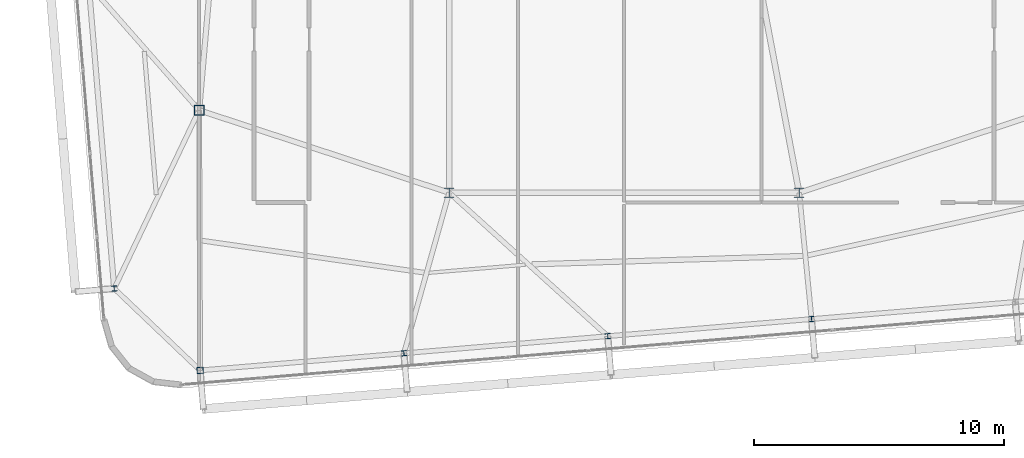
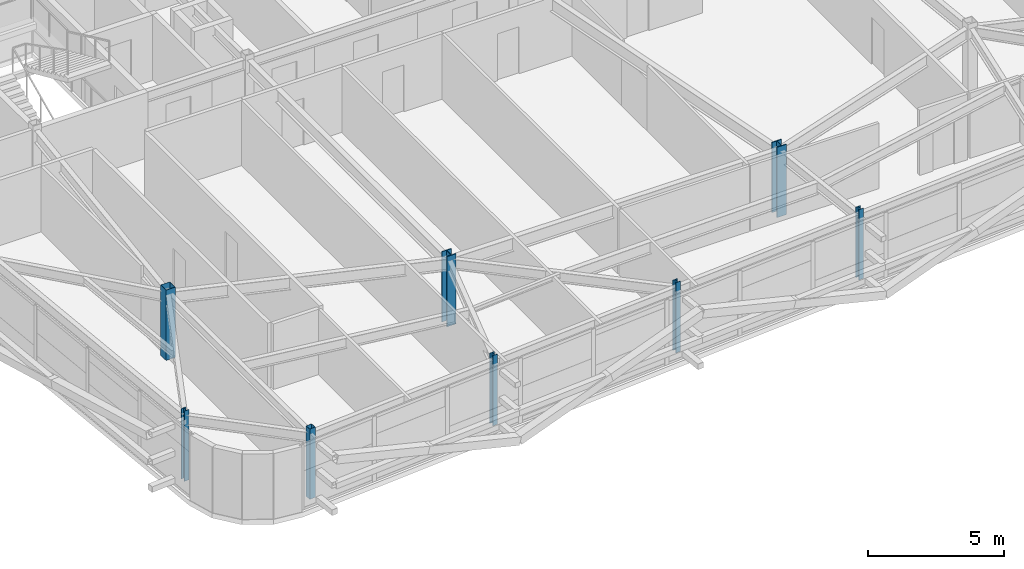
# One storey, part 1 of 46: 8 columns.
"""IFC4 building model written with IfcOpenShell, lengths in metres."""

from ifc_helpers import new_model, si_unit, direction, frame, origin, origin_2d, place, context, subcontext, project, spatial, hollow_rectangle, i_section, extrude, source, transform, mapped, material, material_profile, profile_set, type_object, element, save


model = new_model("IFC4")

# Units and contexts
model_context = context("Model", 3, precision=1e-05, world=origin(), true_north=direction((0.0, 1.0)))
body_context = subcontext(model_context, "Body", "Model", "MODEL_VIEW")
ifc_project = project(units=[si_unit("LENGTHUNIT", "METRE"), si_unit("AREAUNIT", "SQUARE_METRE"), si_unit("VOLUMEUNIT", "CUBIC_METRE"), si_unit("PLANEANGLEUNIT", "RADIAN"), si_unit("MASSUNIT", "GRAM", prefix="KILO")], contexts=[model_context])

# Site, building, storey
site_placement = place(None, origin())
site = spatial("IfcSite", under=ifc_project, at=site_placement, CompositionType="ELEMENT")
building_placement = place(site_placement, origin())
building = spatial("IfcBuilding", under=site, at=building_placement, Name="Taldren Reach Tower", CompositionType="ELEMENT")
storey_placement = place(building_placement, frame((0.0, 0.0, 194.60009765625)))
storey = spatial("IfcBuildingStorey", under=building, at=storey_placement, Name="L59", CompositionType="ELEMENT", Elevation=194.60009765625)

# Columns
ifc_material_1 = material(Name="Steel Gr 350 (350PLUS)", Category="steel")
ifc_material_profile_1 = material_profile(ifc_material_1, i_section(OverallWidth=0.39990234375, OverallDepth=0.39599609375, WebThickness=0.02197265625, FlangeThickness=0.033935546875, at=origin_2d()), Name="400WC270")
ifc_profile_set_1 = profile_set([ifc_material_profile_1], Name="Steel Gr 350 (350PLUS)")
column_type_1 = type_object("IfcColumnType", Name="COL-WC400", PredefinedType="COLUMN", material=ifc_profile_set_1)
shared_shape_1 = source(origin(), body_context, "Body", "SweptSolid", [
    extrude(i_section(OverallWidth=0.39990234375, OverallDepth=0.39599609375, WebThickness=0.02197265625, FlangeThickness=0.033935546875, at=origin_2d()), origin(), (0.0, 0.0, 1.0), 3.14990234375),
])
for number, where, z_axis, x_axis, name in (
    (1, (28.0, 9.199951171875, 0.0), (0.0, 0.0, 1.0), (1.0, 0.0, 0.0), "Mega column MC-PJW L59"),
    (2, (42.0, 9.199951171875, 0.0), (0.0, 0.0, 1.0), (1.0, 0.0, 0.0), "Mega column MC-PJE L59"),
):
    element("IfcColumn", number, at=place(storey_placement, frame(where, z_axis=z_axis, x_axis=x_axis)), inside=storey, type_object=column_type_1, Name=name, PredefinedType="COLUMN", context=body_context, shape_type="MappedRepresentation", body=[
        mapped(shared_shape_1, transform((0.0, 0.0, 0.0), scale=1.0)),
    ])
ifc_material_2 = material(Name="Steel Gr 450 (C450L0)", Category="steel")
ifc_material_profile_2 = material_profile(ifc_material_2, hollow_rectangle(XDim=0.39990234375, YDim=0.39990234375, WallThickness=0.01611328125, at=origin_2d()), Name="400x400x16.0SHS")
ifc_profile_set_2 = profile_set([ifc_material_profile_2], Name="Steel Gr 450 (C450L0)")
column_type_2 = type_object("IfcColumnType", Name="COL-SHS400", PredefinedType="COLUMN", material=ifc_profile_set_2)
shared_shape_2 = source(origin(), body_context, "Body", "SweptSolid", [
    extrude(hollow_rectangle(XDim=0.39990234375, YDim=0.39990234375, WallThickness=0.01611328125, at=origin_2d()), origin(), (0.0, 0.0, 1.0), 3.14990234375),
])
column_1_placement = place(storey_placement, frame((18.0, 12.5, 0.0), z_axis=(0.0, 0.0, 1.0), x_axis=(1.0, 0.0, 0.0)))
element("IfcColumn", 3, at=column_1_placement, inside=storey, type_object=column_type_2, Name="Mega column MC-SW L59", PredefinedType="COLUMN", context=body_context, shape_type="MappedRepresentation", body=[
    mapped(shared_shape_2, transform((0.0, 0.0, 0.0), scale=1.0)),
])
ifc_material_3 = material(Name="Steel Gr 350 (C350L0)", Category="steel")
ifc_material_profile_3 = material_profile(ifc_material_3, hollow_rectangle(XDim=0.25, YDim=0.25, WallThickness=0.010009765625, at=origin_2d()), Name="250x250x10.0SHS")
ifc_profile_set_3 = profile_set([ifc_material_profile_3], Name="Steel Gr 350 (C350L0)")
column_type_3 = type_object("IfcColumnType", Name="COL-SHS250", PredefinedType="COLUMN", material=ifc_profile_set_3)
shared_shape_3 = source(origin(), body_context, "Body", "SweptSolid", [
    extrude(hollow_rectangle(XDim=0.25, YDim=0.25, WallThickness=0.010009765625, at=origin_2d()), origin(), (0.0, 0.0, 1.0), 3.14990234375),
])
column_2_placement = place(storey_placement, frame((18.03955078125, 2.093994140625, 0.0), z_axis=(0.0, 0.0, 1.0), x_axis=(0.99649285925, 0.083677843332, 0.0)))
element("IfcColumn", 4, at=column_2_placement, inside=storey, type_object=column_type_3, Name="Block B4 perimeter column S1 L59", PredefinedType="COLUMN", context=body_context, shape_type="MappedRepresentation", body=[
    mapped(shared_shape_3, transform((0.0, 0.0, 0.0), scale=1.0)),
])
ifc_material_profile_4 = material_profile(ifc_material_1, i_section(OverallWidth=0.205078125, OverallDepth=0.2099609375, WebThickness=0.00927734375, FlangeThickness=0.01416015625, at=origin_2d()), Name="200UC59.5")
ifc_profile_set_4 = profile_set([ifc_material_profile_4], Name="Steel Gr 350 (350PLUS)")
column_type_4 = type_object("IfcColumnType", Name="COL-UC200", PredefinedType="COLUMN", material=ifc_profile_set_4)
shared_shape_4 = source(origin(), body_context, "Body", "SweptSolid", [
    extrude(i_section(OverallWidth=0.205078125, OverallDepth=0.2099609375, WebThickness=0.00927734375, FlangeThickness=0.01416015625, at=origin_2d()), origin(), (0.0, 0.0, 1.0), 3.14990234375),
])
for number, where, z_axis, x_axis, name in (
    (5, (26.19091796875, 2.778564453125, 0.0), (0.0, 0.0, 1.0), (0.99649285925, 0.083677843332, 0.0), "Block B4 perimeter column S2 L59"),
    (6, (34.34228515625, 3.462890625, 0.0), (0.0, 0.0, 1.0), (0.99649285925, 0.083677843332, 0.0), "Block B4 perimeter column S3 L59"),
    (7, (42.49365234375, 4.1474609375, 0.0), (0.0, 0.0, 1.0), (0.99649285925, 0.083677843332, 0.0), "Block B4 perimeter column S4 L59"),
    (8, (14.603759765625, 5.367919921875, 0.0), (0.0, 0.0, 1.0), (0.99649285925, 0.083677843332, 0.0), "Block B4 perimeter column W1 L59"),
):
    element("IfcColumn", number, at=place(storey_placement, frame(where, z_axis=z_axis, x_axis=x_axis)), inside=storey, type_object=column_type_4, Name=name, PredefinedType="COLUMN", context=body_context, shape_type="MappedRepresentation", body=[
        mapped(shared_shape_4, transform((0.0, 0.0, 0.0), scale=1.0)),
    ])

save(model, "model.ifc")
